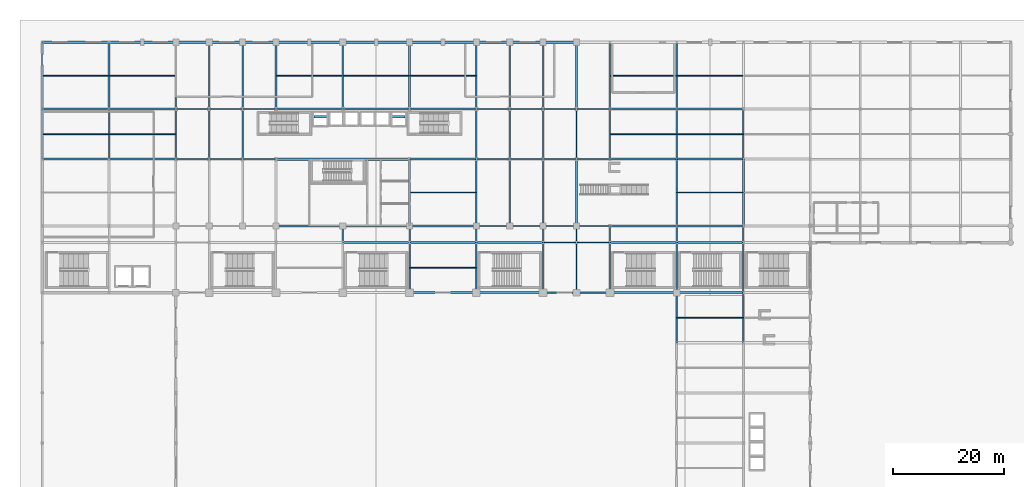
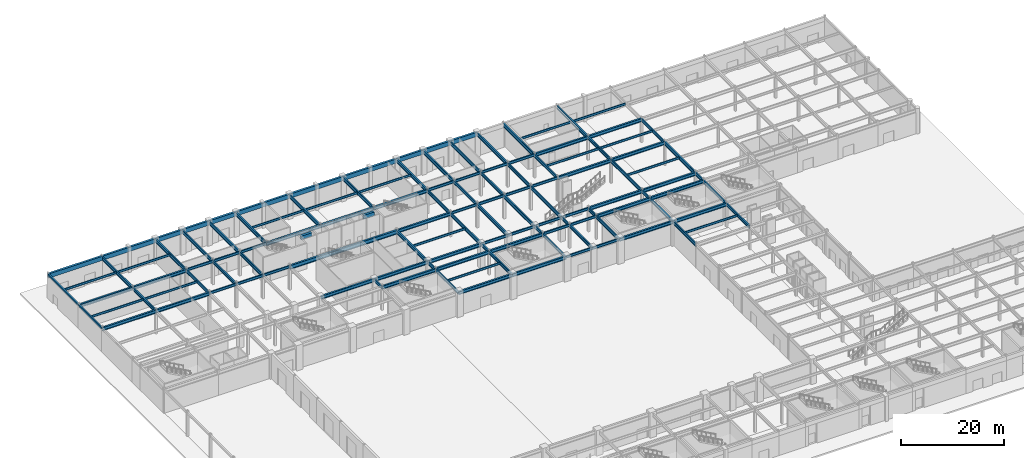
# One storey, part 15 of 44: 127 beams.
"""IFC4 building model written with IfcOpenShell, lengths in metres."""

from ifc_helpers import new_model, si_unit, direction, frame, origin, origin_2d, place, context, subcontext, project, spatial, rectangle, hollow_rectangle, i_section, extrude, material, material_profile, profile_set, type_object, element, save


model = new_model("IFC4")

# Units and contexts
model_context = context("Model", 3, precision=1e-05, world=origin(), true_north=direction((0.0, 1.0)))
body_context = subcontext(model_context, "Body", "Model", "MODEL_VIEW")
ifc_project = project(units=[si_unit("LENGTHUNIT", "METRE"), si_unit("AREAUNIT", "SQUARE_METRE"), si_unit("VOLUMEUNIT", "CUBIC_METRE"), si_unit("PLANEANGLEUNIT", "RADIAN"), si_unit("MASSUNIT", "GRAM", prefix="KILO")], contexts=[model_context])

# Site, building, storey
site_placement = place(None, origin())
site = spatial("IfcSite", under=ifc_project, at=site_placement, CompositionType="ELEMENT")
building_placement = place(site_placement, origin())
building = spatial("IfcBuilding", under=site, at=building_placement, Name="Kaldorvane Square Convention Centre", CompositionType="ELEMENT")
storey_placement = place(building_placement, origin())
storey = spatial("IfcBuildingStorey", under=building, at=storey_placement, Name="L00", CompositionType="ELEMENT", Elevation=0.0)

# Beams
ifc_material_1 = material(Name="Steel ASTM A992 Gr. 50", Category="steel")
ifc_material_profile_1 = material_profile(ifc_material_1, i_section(OverallWidth=0.2303009033203125, OverallDepth=0.61749267578125, WebThickness=0.0131072998046875, FlangeThickness=0.0222015380859375, FilletRadius=0.0126953125, at=origin_2d()), Name="W24X94")
ifc_profile_set_1 = profile_set([ifc_material_profile_1], Name="Steel ASTM A992 Gr. 50")
beam_type_1 = type_object("IfcBeamType", Name="BM-GR-W24X94", PredefinedType="BEAM", material=ifc_profile_set_1)
for number, where, z_axis, x_axis, name in (
    (1, (90.0, 72.0, 5.3672943115234375), (1.0, 0.0, 0.0), (0.0, 1.0, 0.0), "Primary Girder (L00)"),
    (2, (96.0, 72.0, 5.3672943115234375), (1.0, 0.0, 0.0), (0.0, 1.0, 0.0), "Primary Girder (L00)"),
    (3, (90.0, 81.0, 5.3672943115234375), (1.0, 0.0, 0.0), (0.0, 1.0, 0.0), "Primary Girder (L00)"),
    (4, (96.0, 81.0, 5.3672943115234375), (1.0, 0.0, 0.0), (0.0, 1.0, 0.0), "Primary Girder (L00)"),
    (5, (78.0, 84.0, 5.3672943115234375), (1.0, 0.0, 0.0), (0.0, 1.0, 0.0), "Primary Girder (L00)"),
    (6, (84.0, 84.0, 5.3672943115234375), (1.0, 0.0, 0.0), (0.0, 1.0, 0.0), "Primary Girder (L00)"),
    (7, (90.0, 84.0, 5.3672943115234375), (1.0, 0.0, 0.0), (0.0, 1.0, 0.0), "Primary Girder (L00)"),
    (8, (96.0, 84.0, 5.3672943115234375), (1.0, 0.0, 0.0), (0.0, 1.0, 0.0), "Primary Girder (L00)"),
    (9, (24.0, 96.0, 5.3672943115234375), (1.0, 0.0, 0.0), (0.0, 1.0, 0.0), "Primary Girder (L00)"),
    (10, (30.0, 96.0, 5.3672943115234375), (1.0, 0.0, 0.0), (0.0, 1.0, 0.0), "Primary Girder (L00)"),
    (11, (36.0, 96.0, 5.3672943115234375), (1.0, 0.0, 0.0), (0.0, 1.0, 0.0), "Primary Girder (L00)"),
    (12, (78.0, 96.0, 5.3672943115234375), (1.0, 0.0, 0.0), (0.0, 1.0, 0.0), "Primary Girder (L00)"),
    (13, (84.0, 96.0, 5.3672943115234375), (1.0, 0.0, 0.0), (0.0, 1.0, 0.0), "Primary Girder (L00)"),
    (14, (90.0, 96.0, 5.3672943115234375), (1.0, 0.0, 0.0), (0.0, 1.0, 0.0), "Primary Girder (L00)"),
    (15, (96.0, 96.0, 5.3672943115234375), (1.0, 0.0, 0.0), (0.0, 1.0, 0.0), "Primary Girder (L00)"),
    (16, (24.0, 105.0, 5.3672943115234375), (1.0, 0.0, 0.0), (0.0, 1.0, 0.0), "Primary Girder (L00)"),
    (17, (30.0, 105.0, 5.3672943115234375), (1.0, 0.0, 0.0), (0.0, 1.0, 0.0), "Primary Girder (L00)"),
    (18, (36.0, 105.0, 5.3672943115234375), (1.0, 0.0, 0.0), (0.0, 1.0, 0.0), "Primary Girder (L00)"),
    (19, (78.0, 105.0, 5.3672943115234375), (1.0, 0.0, 0.0), (0.0, 1.0, 0.0), "Primary Girder (L00)"),
    (20, (84.0, 105.0, 5.3672943115234375), (1.0, 0.0, 0.0), (0.0, 1.0, 0.0), "Primary Girder (L00)"),
    (21, (90.0, 105.0, 5.3672943115234375), (1.0, 0.0, 0.0), (0.0, 1.0, 0.0), "Primary Girder (L00)"),
    (22, (96.0, 105.0, 5.3672943115234375), (1.0, 0.0, 0.0), (0.0, 1.0, 0.0), "Primary Girder (L00)"),
):
    element("IfcBeam", number, at=place(storey_placement, frame(where, z_axis=z_axis, x_axis=x_axis)), inside=storey, type_object=beam_type_1, Name=name, PredefinedType="BEAM", context=body_context, shape_type="SweptSolid", body=[
        extrude(i_section(OverallWidth=0.2303009033203125, OverallDepth=0.61749267578125, WebThickness=0.0131072998046875, FlangeThickness=0.0222015380859375, FilletRadius=0.0126953125, at=origin_2d()), origin(), (0.0, 0.0, 1.0), 6.0),
    ])
ifc_material_profile_2 = material_profile(ifc_material_1, i_section(OverallWidth=0.2666015625, OverallDepth=0.762298583984375, WebThickness=0.014404296875, FlangeThickness=0.0216064453125, FilletRadius=0.0164947509765625, at=origin_2d()), Name="W30X116")
ifc_profile_set_2 = profile_set([ifc_material_profile_2], Name="Steel ASTM A992 Gr. 50")
beam_type_2 = type_object("IfcBeamType", Name="BM-GR-W30X116", PredefinedType="BEAM", material=ifc_profile_set_2)
for number, where, z_axis, x_axis, name in (
    (23, (12.0, 96.0, 5.2949066162109375), (0.0, 1.0, 0.0), (-1.0, 0.0, 0.0), "Transverse Girder (L00)"),
    (24, (24.0, 96.0, 5.2949066162109375), (0.0, 1.0, 0.0), (-1.0, 0.0, 0.0), "Transverse Girder (L00)"),
    (25, (30.0, 96.0, 5.2949066162109375), (0.0, 1.0, 0.0), (-1.0, 0.0, 0.0), "Transverse Girder (L00)"),
    (26, (36.0, 96.0, 5.2949066162109375), (0.0, 1.0, 0.0), (-1.0, 0.0, 0.0), "Transverse Girder (L00)"),
):
    element("IfcBeam", number, at=place(storey_placement, frame(where, z_axis=z_axis, x_axis=x_axis)), inside=storey, type_object=beam_type_2, Name=name, PredefinedType="BEAM", context=body_context, shape_type="SweptSolid", body=[
        extrude(i_section(OverallWidth=0.2666015625, OverallDepth=0.762298583984375, WebThickness=0.014404296875, FlangeThickness=0.0216064453125, FilletRadius=0.0164947509765625, at=origin_2d()), origin(), (0.0, 0.0, 1.0), 9.0),
    ])
beam_1_placement = place(storey_placement, frame((54.0, 81.0, 5.2949066162109375), z_axis=(0.0, 1.0, 0.0), x_axis=(-1.0, 0.0, 0.0)))
element("IfcBeam", 27, at=beam_1_placement, inside=storey, type_object=beam_type_2, Name="Transverse Girder (L00)", PredefinedType="BEAM", context=body_context, shape_type="SweptSolid", body=[
    extrude(i_section(OverallWidth=0.2666015625, OverallDepth=0.762298583984375, WebThickness=0.014404296875, FlangeThickness=0.0216064453125, FilletRadius=0.0164947509765625, at=origin_2d()), origin(), (0.0, 0.0, 1.0), 3.0),
])
beam_2_placement = place(storey_placement, frame((66.0, 72.0, 5.2949066162109375), z_axis=(0.0, 1.0, 0.0), x_axis=(-1.0, 0.0, 0.0)))
element("IfcBeam", 28, at=beam_2_placement, inside=storey, type_object=beam_type_2, Name="Transverse Girder (L00)", PredefinedType="BEAM", context=body_context, shape_type="SweptSolid", body=[
    extrude(i_section(OverallWidth=0.2666015625, OverallDepth=0.762298583984375, WebThickness=0.014404296875, FlangeThickness=0.0216064453125, FilletRadius=0.0164947509765625, at=origin_2d()), origin(), (0.0, 0.0, 1.0), 9.0),
])
beam_3_placement = place(storey_placement, frame((66.0, 81.0, 5.2949066162109375), z_axis=(0.0, 1.0, 0.0), x_axis=(-1.0, 0.0, 0.0)))
element("IfcBeam", 29, at=beam_3_placement, inside=storey, type_object=beam_type_2, Name="Transverse Girder (L00)", PredefinedType="BEAM", context=body_context, shape_type="SweptSolid", body=[
    extrude(i_section(OverallWidth=0.2666015625, OverallDepth=0.762298583984375, WebThickness=0.014404296875, FlangeThickness=0.0216064453125, FilletRadius=0.0164947509765625, at=origin_2d()), origin(), (0.0, 0.0, 1.0), 3.0),
])
beam_4_placement = place(storey_placement, frame((78.0, 72.0, 5.2949066162109375), z_axis=(0.0, 1.0, 0.0), x_axis=(-1.0, 0.0, 0.0)))
element("IfcBeam", 30, at=beam_4_placement, inside=storey, type_object=beam_type_2, Name="Transverse Girder (L00)", PredefinedType="BEAM", context=body_context, shape_type="SweptSolid", body=[
    extrude(i_section(OverallWidth=0.2666015625, OverallDepth=0.762298583984375, WebThickness=0.014404296875, FlangeThickness=0.0216064453125, FilletRadius=0.0164947509765625, at=origin_2d()), origin(), (0.0, 0.0, 1.0), 9.0),
])
beam_5_placement = place(storey_placement, frame((78.0, 81.0, 5.2949066162109375), z_axis=(0.0, 1.0, 0.0), x_axis=(-1.0, 0.0, 0.0)))
element("IfcBeam", 31, at=beam_5_placement, inside=storey, type_object=beam_type_2, Name="Transverse Girder (L00)", PredefinedType="BEAM", context=body_context, shape_type="SweptSolid", body=[
    extrude(i_section(OverallWidth=0.2666015625, OverallDepth=0.762298583984375, WebThickness=0.014404296875, FlangeThickness=0.0216064453125, FilletRadius=0.0164947509765625, at=origin_2d()), origin(), (0.0, 0.0, 1.0), 3.0),
])
for number, where, z_axis, x_axis, name in (
    (32, (78.0, 96.0, 5.2949066162109375), (0.0, 1.0, 0.0), (-1.0, 0.0, 0.0), "Transverse Girder (L00)"),
    (33, (84.0, 96.0, 5.2949066162109375), (0.0, 1.0, 0.0), (-1.0, 0.0, 0.0), "Transverse Girder (L00)"),
    (34, (90.0, 72.0, 5.2949066162109375), (0.0, 1.0, 0.0), (-1.0, 0.0, 0.0), "Transverse Girder (L00)"),
):
    element("IfcBeam", number, at=place(storey_placement, frame(where, z_axis=z_axis, x_axis=x_axis)), inside=storey, type_object=beam_type_2, Name=name, PredefinedType="BEAM", context=body_context, shape_type="SweptSolid", body=[
        extrude(i_section(OverallWidth=0.2666015625, OverallDepth=0.762298583984375, WebThickness=0.014404296875, FlangeThickness=0.0216064453125, FilletRadius=0.0164947509765625, at=origin_2d()), origin(), (0.0, 0.0, 1.0), 9.0),
    ])
beam_6_placement = place(storey_placement, frame((90.0, 81.0, 5.2949066162109375), z_axis=(0.0, 1.0, 0.0), x_axis=(-1.0, 0.0, 0.0)))
element("IfcBeam", 35, at=beam_6_placement, inside=storey, type_object=beam_type_2, Name="Transverse Girder (L00)", PredefinedType="BEAM", context=body_context, shape_type="SweptSolid", body=[
    extrude(i_section(OverallWidth=0.2666015625, OverallDepth=0.762298583984375, WebThickness=0.014404296875, FlangeThickness=0.0216064453125, FilletRadius=0.0164947509765625, at=origin_2d()), origin(), (0.0, 0.0, 1.0), 3.0),
])
for number, where, z_axis, x_axis, name in (
    (36, (90.0, 96.0, 5.2949066162109375), (0.0, 1.0, 0.0), (-1.0, 0.0, 0.0), "Transverse Girder (L00)"),
    (37, (96.0, 72.0, 5.2949066162109375), (0.0, 1.0, 0.0), (-1.0, 0.0, 0.0), "Transverse Girder (L00)"),
):
    element("IfcBeam", number, at=place(storey_placement, frame(where, z_axis=z_axis, x_axis=x_axis)), inside=storey, type_object=beam_type_2, Name=name, PredefinedType="BEAM", context=body_context, shape_type="SweptSolid", body=[
        extrude(i_section(OverallWidth=0.2666015625, OverallDepth=0.762298583984375, WebThickness=0.014404296875, FlangeThickness=0.0216064453125, FilletRadius=0.0164947509765625, at=origin_2d()), origin(), (0.0, 0.0, 1.0), 9.0),
    ])
beam_7_placement = place(storey_placement, frame((96.0, 81.0, 5.2949066162109375), z_axis=(0.0, 1.0, 0.0), x_axis=(-1.0, 0.0, 0.0)))
element("IfcBeam", 38, at=beam_7_placement, inside=storey, type_object=beam_type_2, Name="Transverse Girder (L00)", PredefinedType="BEAM", context=body_context, shape_type="SweptSolid", body=[
    extrude(i_section(OverallWidth=0.2666015625, OverallDepth=0.762298583984375, WebThickness=0.014404296875, FlangeThickness=0.0216064453125, FilletRadius=0.0164947509765625, at=origin_2d()), origin(), (0.0, 0.0, 1.0), 3.0),
])
for number, where, z_axis, x_axis, name in (
    (39, (96.0, 96.0, 5.2949066162109375), (0.0, 1.0, 0.0), (-1.0, 0.0, 0.0), "Transverse Girder (L00)"),
    (40, (102.0, 72.0, 5.2949066162109375), (0.0, 1.0, 0.0), (-1.0, 0.0, 0.0), "Transverse Girder (L00)"),
):
    element("IfcBeam", number, at=place(storey_placement, frame(where, z_axis=z_axis, x_axis=x_axis)), inside=storey, type_object=beam_type_2, Name=name, PredefinedType="BEAM", context=body_context, shape_type="SweptSolid", body=[
        extrude(i_section(OverallWidth=0.2666015625, OverallDepth=0.762298583984375, WebThickness=0.014404296875, FlangeThickness=0.0216064453125, FilletRadius=0.0164947509765625, at=origin_2d()), origin(), (0.0, 0.0, 1.0), 9.0),
    ])
beam_8_placement = place(storey_placement, frame((102.0, 81.0, 5.2949066162109375), z_axis=(0.0, 1.0, 0.0), x_axis=(-1.0, 0.0, 0.0)))
element("IfcBeam", 41, at=beam_8_placement, inside=storey, type_object=beam_type_2, Name="Transverse Girder (L00)", PredefinedType="BEAM", context=body_context, shape_type="SweptSolid", body=[
    extrude(i_section(OverallWidth=0.2666015625, OverallDepth=0.762298583984375, WebThickness=0.014404296875, FlangeThickness=0.0216064453125, FilletRadius=0.0164947509765625, at=origin_2d()), origin(), (0.0, 0.0, 1.0), 3.0),
])
for number, where, z_axis, x_axis, name in (
    (42, (102.0, 96.0, 5.2949066162109375), (0.0, 1.0, 0.0), (-1.0, 0.0, 0.0), "Transverse Girder (L00)"),
    (43, (114.0, 63.0, 5.2949066162109375), (0.0, 1.0, 0.0), (-1.0, 0.0, 0.0), "Transverse Girder (L00)"),
    (44, (114.0, 72.0, 5.2949066162109375), (0.0, 1.0, 0.0), (-1.0, 0.0, 0.0), "Transverse Girder (L00)"),
):
    element("IfcBeam", number, at=place(storey_placement, frame(where, z_axis=z_axis, x_axis=x_axis)), inside=storey, type_object=beam_type_2, Name=name, PredefinedType="BEAM", context=body_context, shape_type="SweptSolid", body=[
        extrude(i_section(OverallWidth=0.2666015625, OverallDepth=0.762298583984375, WebThickness=0.014404296875, FlangeThickness=0.0216064453125, FilletRadius=0.0164947509765625, at=origin_2d()), origin(), (0.0, 0.0, 1.0), 9.0),
    ])
beam_9_placement = place(storey_placement, frame((114.0, 81.0, 5.2949066162109375), z_axis=(0.0, 1.0, 0.0), x_axis=(-1.0, 0.0, 0.0)))
element("IfcBeam", 45, at=beam_9_placement, inside=storey, type_object=beam_type_2, Name="Transverse Girder (L00)", PredefinedType="BEAM", context=body_context, shape_type="SweptSolid", body=[
    extrude(i_section(OverallWidth=0.2666015625, OverallDepth=0.762298583984375, WebThickness=0.014404296875, FlangeThickness=0.0216064453125, FilletRadius=0.0164947509765625, at=origin_2d()), origin(), (0.0, 0.0, 1.0), 3.0),
])
for number, where, z_axis, x_axis, name in (
    (46, (114.0, 96.0, 5.2949066162109375), (0.0, 1.0, 0.0), (-1.0, 0.0, 0.0), "Transverse Girder (L00)"),
    (47, (126.0, 63.0, 5.2949066162109375), (0.0, 1.0, 0.0), (-1.0, 0.0, 0.0), "Transverse Girder (L00)"),
    (48, (126.0, 72.0, 5.2949066162109375), (0.0, 1.0, 0.0), (-1.0, 0.0, 0.0), "Transverse Girder (L00)"),
):
    element("IfcBeam", number, at=place(storey_placement, frame(where, z_axis=z_axis, x_axis=x_axis)), inside=storey, type_object=beam_type_2, Name=name, PredefinedType="BEAM", context=body_context, shape_type="SweptSolid", body=[
        extrude(i_section(OverallWidth=0.2666015625, OverallDepth=0.762298583984375, WebThickness=0.014404296875, FlangeThickness=0.0216064453125, FilletRadius=0.0164947509765625, at=origin_2d()), origin(), (0.0, 0.0, 1.0), 9.0),
    ])
beam_10_placement = place(storey_placement, frame((126.0, 81.0, 5.2949066162109375), z_axis=(0.0, 1.0, 0.0), x_axis=(-1.0, 0.0, 0.0)))
element("IfcBeam", 49, at=beam_10_placement, inside=storey, type_object=beam_type_2, Name="Transverse Girder (L00)", PredefinedType="BEAM", context=body_context, shape_type="SweptSolid", body=[
    extrude(i_section(OverallWidth=0.2666015625, OverallDepth=0.762298583984375, WebThickness=0.014404296875, FlangeThickness=0.0216064453125, FilletRadius=0.0164947509765625, at=origin_2d()), origin(), (0.0, 0.0, 1.0), 3.0),
])
beam_11_placement = place(storey_placement, frame((126.0, 96.0, 5.2949066162109375), z_axis=(0.0, 1.0, 0.0), x_axis=(-1.0, 0.0, 0.0)))
element("IfcBeam", 50, at=beam_11_placement, inside=storey, type_object=beam_type_2, Name="Transverse Girder (L00)", PredefinedType="BEAM", context=body_context, shape_type="SweptSolid", body=[
    extrude(i_section(OverallWidth=0.2666015625, OverallDepth=0.762298583984375, WebThickness=0.014404296875, FlangeThickness=0.0216064453125, FilletRadius=0.0164947509765625, at=origin_2d()), origin(), (0.0, 0.0, 1.0), 9.0),
])
ifc_material_profile_3 = material_profile(ifc_material_1, i_section(OverallWidth=0.380706787109375, OverallDepth=0.773193359375, WebThickness=0.0166015625, FlangeThickness=0.027099609375, FilletRadius=0.0164947509765625, at=origin_2d()), Name="W30X173")
ifc_profile_set_3 = profile_set([ifc_material_profile_3], Name="Steel ASTM A992 Gr. 50")
beam_type_3 = type_object("IfcBeamType", Name="BM-GR-W30X173", PredefinedType="BEAM", material=ifc_profile_set_3)
for number, where, z_axis, x_axis, name in (
    (51, (66.0, 72.0, 5.289398193359375), (1.0, 0.0, 0.0), (0.0, 1.0, 0.0), "Primary Girder (L00)"),
    (52, (78.0, 72.0, 5.289398193359375), (1.0, 0.0, 0.0), (0.0, 1.0, 0.0), "Primary Girder (L00)"),
    (53, (102.0, 72.0, 5.289398193359375), (1.0, 0.0, 0.0), (0.0, 1.0, 0.0), "Primary Girder (L00)"),
    (54, (114.0, 72.0, 5.289398193359375), (1.0, 0.0, 0.0), (0.0, 1.0, 0.0), "Primary Girder (L00)"),
    (55, (54.0, 81.0, 5.289398193359375), (1.0, 0.0, 0.0), (0.0, 1.0, 0.0), "Primary Girder (L00)"),
    (56, (66.0, 81.0, 5.289398193359375), (1.0, 0.0, 0.0), (0.0, 1.0, 0.0), "Primary Girder (L00)"),
    (57, (78.0, 81.0, 5.289398193359375), (1.0, 0.0, 0.0), (0.0, 1.0, 0.0), "Primary Girder (L00)"),
    (58, (102.0, 81.0, 5.289398193359375), (1.0, 0.0, 0.0), (0.0, 1.0, 0.0), "Primary Girder (L00)"),
    (59, (114.0, 81.0, 5.289398193359375), (1.0, 0.0, 0.0), (0.0, 1.0, 0.0), "Primary Girder (L00)"),
    (60, (42.0, 84.0, 5.289398193359375), (1.0, 0.0, 0.0), (0.0, 1.0, 0.0), "Primary Girder (L00)"),
    (61, (54.0, 84.0, 5.289398193359375), (1.0, 0.0, 0.0), (0.0, 1.0, 0.0), "Primary Girder (L00)"),
    (62, (66.0, 84.0, 5.289398193359375), (1.0, 0.0, 0.0), (0.0, 1.0, 0.0), "Primary Girder (L00)"),
    (63, (102.0, 84.0, 5.289398193359375), (1.0, 0.0, 0.0), (0.0, 1.0, 0.0), "Primary Girder (L00)"),
    (64, (114.0, 84.0, 5.289398193359375), (1.0, 0.0, 0.0), (0.0, 1.0, 0.0), "Primary Girder (L00)"),
    (65, (0.0, 96.0, 5.289398193359375), (1.0, 0.0, 0.0), (0.0, 1.0, 0.0), "Primary Girder (L00)"),
    (66, (12.0, 96.0, 5.289398193359375), (1.0, 0.0, 0.0), (0.0, 1.0, 0.0), "Primary Girder (L00)"),
    (67, (66.0, 96.0, 5.289398193359375), (1.0, 0.0, 0.0), (0.0, 1.0, 0.0), "Primary Girder (L00)"),
    (68, (102.0, 96.0, 5.289398193359375), (1.0, 0.0, 0.0), (0.0, 1.0, 0.0), "Primary Girder (L00)"),
    (69, (114.0, 96.0, 5.289398193359375), (1.0, 0.0, 0.0), (0.0, 1.0, 0.0), "Primary Girder (L00)"),
    (70, (0.0, 105.0, 5.289398193359375), (1.0, 0.0, 0.0), (0.0, 1.0, 0.0), "Primary Girder (L00)"),
    (71, (12.0, 105.0, 5.289398193359375), (1.0, 0.0, 0.0), (0.0, 1.0, 0.0), "Primary Girder (L00)"),
    (72, (42.0, 105.0, 5.289398193359375), (1.0, 0.0, 0.0), (0.0, 1.0, 0.0), "Primary Girder (L00)"),
    (73, (54.0, 105.0, 5.289398193359375), (1.0, 0.0, 0.0), (0.0, 1.0, 0.0), "Primary Girder (L00)"),
    (74, (66.0, 105.0, 5.289398193359375), (1.0, 0.0, 0.0), (0.0, 1.0, 0.0), "Primary Girder (L00)"),
    (75, (102.0, 105.0, 5.289398193359375), (1.0, 0.0, 0.0), (0.0, 1.0, 0.0), "Primary Girder (L00)"),
    (76, (114.0, 105.0, 5.289398193359375), (1.0, 0.0, 0.0), (0.0, 1.0, 0.0), "Primary Girder (L00)"),
):
    element("IfcBeam", number, at=place(storey_placement, frame(where, z_axis=z_axis, x_axis=x_axis)), inside=storey, type_object=beam_type_3, Name=name, PredefinedType="BEAM", context=body_context, shape_type="SweptSolid", body=[
        extrude(i_section(OverallWidth=0.380706787109375, OverallDepth=0.773193359375, WebThickness=0.0166015625, FlangeThickness=0.027099609375, FilletRadius=0.0164947509765625, at=origin_2d()), origin(), (0.0, 0.0, 1.0), 12.0),
    ])
ifc_material_profile_4 = material_profile(ifc_material_1, i_section(OverallWidth=0.292999267578125, OverallDepth=0.845794677734375, WebThickness=0.0153961181640625, FlangeThickness=0.0243988037109375, FilletRadius=0.0178070068359375, at=origin_2d()), Name="W33X141")
ifc_profile_set_4 = profile_set([ifc_material_profile_4], Name="Steel ASTM A992 Gr. 50")
beam_type_4 = type_object("IfcBeamType", Name="BM-GR-W33X141", PredefinedType="BEAM", material=ifc_profile_set_4)
for number, where, z_axis, x_axis, name in (
    (77, (12.0, 105.0, 5.2530975341796875), (0.0, 1.0, 0.0), (-1.0, 0.0, 0.0), "Transverse Girder (L00)"),
    (78, (24.0, 105.0, 5.2530975341796875), (0.0, 1.0, 0.0), (-1.0, 0.0, 0.0), "Transverse Girder (L00)"),
    (79, (30.0, 105.0, 5.2530975341796875), (0.0, 1.0, 0.0), (-1.0, 0.0, 0.0), "Transverse Girder (L00)"),
    (80, (36.0, 105.0, 5.2530975341796875), (0.0, 1.0, 0.0), (-1.0, 0.0, 0.0), "Transverse Girder (L00)"),
    (81, (42.0, 105.0, 5.2530975341796875), (0.0, 1.0, 0.0), (-1.0, 0.0, 0.0), "Transverse Girder (L00)"),
    (82, (54.0, 105.0, 5.2530975341796875), (0.0, 1.0, 0.0), (-1.0, 0.0, 0.0), "Transverse Girder (L00)"),
    (83, (66.0, 84.0, 5.2530975341796875), (0.0, 1.0, 0.0), (-1.0, 0.0, 0.0), "Transverse Girder (L00)"),
    (84, (66.0, 105.0, 5.2530975341796875), (0.0, 1.0, 0.0), (-1.0, 0.0, 0.0), "Transverse Girder (L00)"),
    (85, (78.0, 84.0, 5.2530975341796875), (0.0, 1.0, 0.0), (-1.0, 0.0, 0.0), "Transverse Girder (L00)"),
    (86, (78.0, 105.0, 5.2530975341796875), (0.0, 1.0, 0.0), (-1.0, 0.0, 0.0), "Transverse Girder (L00)"),
    (87, (84.0, 84.0, 5.2530975341796875), (0.0, 1.0, 0.0), (-1.0, 0.0, 0.0), "Transverse Girder (L00)"),
    (88, (84.0, 105.0, 5.2530975341796875), (0.0, 1.0, 0.0), (-1.0, 0.0, 0.0), "Transverse Girder (L00)"),
    (89, (90.0, 84.0, 5.2530975341796875), (0.0, 1.0, 0.0), (-1.0, 0.0, 0.0), "Transverse Girder (L00)"),
    (90, (90.0, 105.0, 5.2530975341796875), (0.0, 1.0, 0.0), (-1.0, 0.0, 0.0), "Transverse Girder (L00)"),
    (91, (96.0, 84.0, 5.2530975341796875), (0.0, 1.0, 0.0), (-1.0, 0.0, 0.0), "Transverse Girder (L00)"),
    (92, (96.0, 105.0, 5.2530975341796875), (0.0, 1.0, 0.0), (-1.0, 0.0, 0.0), "Transverse Girder (L00)"),
    (93, (102.0, 105.0, 5.2530975341796875), (0.0, 1.0, 0.0), (-1.0, 0.0, 0.0), "Transverse Girder (L00)"),
    (94, (114.0, 84.0, 5.2530975341796875), (0.0, 1.0, 0.0), (-1.0, 0.0, 0.0), "Transverse Girder (L00)"),
    (95, (114.0, 105.0, 5.2530975341796875), (0.0, 1.0, 0.0), (-1.0, 0.0, 0.0), "Transverse Girder (L00)"),
    (96, (126.0, 84.0, 5.2530975341796875), (0.0, 1.0, 0.0), (-1.0, 0.0, 0.0), "Transverse Girder (L00)"),
):
    element("IfcBeam", number, at=place(storey_placement, frame(where, z_axis=z_axis, x_axis=x_axis)), inside=storey, type_object=beam_type_4, Name=name, PredefinedType="BEAM", context=body_context, shape_type="SweptSolid", body=[
        extrude(i_section(OverallWidth=0.292999267578125, OverallDepth=0.845794677734375, WebThickness=0.0153961181640625, FlangeThickness=0.0243988037109375, FilletRadius=0.0178070068359375, at=origin_2d()), origin(), (0.0, 0.0, 1.0), 12.0),
    ])
ifc_material_profile_5 = material_profile(ifc_material_1, i_section(OverallWidth=0.418304443359375, OverallDepth=0.926605224609375, WebThickness=0.0193023681640625, FlangeThickness=0.0319976806640625, FilletRadius=0.0240936279296875, at=origin_2d()), Name="W36X231")
ifc_profile_set_5 = profile_set([ifc_material_profile_5], Name="Steel ASTM A992 Gr. 50")
beam_type_5 = type_object("IfcBeamType", Name="BM-GR-W36X231", PredefinedType="BEAM", material=ifc_profile_set_5)
beam_12_placement = place(storey_placement, frame((42.0, 96.0, 5.21270751953125), z_axis=(1.0, 0.0, 0.0), x_axis=(0.0, 1.0, 0.0)))
element("IfcBeam", 97, at=beam_12_placement, inside=storey, type_object=beam_type_5, Name="Primary Girder (L00)", PredefinedType="BEAM", context=body_context, shape_type="SweptSolid", body=[
    extrude(i_section(OverallWidth=0.418304443359375, OverallDepth=0.926605224609375, WebThickness=0.0193023681640625, FlangeThickness=0.0319976806640625, FilletRadius=0.0240936279296875, at=origin_2d()), origin(), (0.0, 0.0, 1.0), 24.0),
])
ifc_material_profile_6 = material_profile(ifc_material_1, i_section(OverallWidth=0.1658935546875, OverallDepth=0.5290985107421875, WebThickness=0.00970458984375, FlangeThickness=0.0135955810546875, FilletRadius=0.0126953125, at=origin_2d()), Name="W21X50")
ifc_profile_set_6 = profile_set([ifc_material_profile_6], Name="Steel ASTM A992 Gr. 50")
beam_type_6 = type_object("IfcBeamType", Name="BM-JS-W21X50", PredefinedType="JOIST", material=ifc_profile_set_6)
for number, where, z_axis, x_axis, name in (
    (98, (114.13330078125, 67.5, 5.4114990234375), (1.0, 0.0, 0.0), (0.0, 1.0, 0.0), "Secondary Floor Joist (L00)"),
    (99, (66.13330078125, 76.5, 5.4114990234375), (1.0, 0.0, 0.0), (0.0, 1.0, 0.0), "Secondary Floor Joist (L00)"),
):
    element("IfcBeam", number, at=place(storey_placement, frame(where, z_axis=z_axis, x_axis=x_axis)), inside=storey, type_object=beam_type_6, Name=name, PredefinedType="JOIST", context=body_context, shape_type="SweptSolid", body=[
        extrude(i_section(OverallWidth=0.1658935546875, OverallDepth=0.5290985107421875, WebThickness=0.00970458984375, FlangeThickness=0.0135955810546875, FilletRadius=0.0126953125, at=origin_2d()), origin(), (0.0, 0.0, 1.0), 11.7333984375),
    ])
for number, where, z_axis, x_axis, name in (
    (100, (66.14649963378906, 90.0, 5.4114990234375), (1.0, 0.0, 0.0), (0.0, 1.0, 0.0), "Secondary Floor Joist (L00)"),
    (101, (114.14649963378906, 90.0, 5.4114990234375), (1.0, 0.0, 0.0), (0.0, 1.0, 0.0), "Secondary Floor Joist (L00)"),
):
    element("IfcBeam", number, at=place(storey_placement, frame(where, z_axis=z_axis, x_axis=x_axis)), inside=storey, type_object=beam_type_6, Name=name, PredefinedType="JOIST", context=body_context, shape_type="SweptSolid", body=[
        extrude(i_section(OverallWidth=0.1658935546875, OverallDepth=0.5290985107421875, WebThickness=0.00970458984375, FlangeThickness=0.0135955810546875, FilletRadius=0.0126953125, at=origin_2d()), origin(), (0.0, 0.0, 1.0), 11.707000732421875),
    ])
beam_13_placement = place(storey_placement, frame((0.15240478515625, 100.5, 5.4114990234375), z_axis=(1.0, 0.0, 0.0), x_axis=(0.0, 1.0, 0.0)))
element("IfcBeam", 102, at=beam_13_placement, inside=storey, type_object=beam_type_6, Name="Secondary Floor Joist (L00)", PredefinedType="JOIST", context=body_context, shape_type="SweptSolid", body=[
    extrude(i_section(OverallWidth=0.1658935546875, OverallDepth=0.5290985107421875, WebThickness=0.00970458984375, FlangeThickness=0.0135955810546875, FilletRadius=0.0126953125, at=origin_2d()), origin(), (0.0, 0.0, 1.0), 11.71429443359375),
])
for number, where, z_axis, x_axis, name in (
    (103, (12.13330078125, 100.5, 5.4114990234375), (1.0, 0.0, 0.0), (0.0, 1.0, 0.0), "Secondary Floor Joist (L00)"),
    (104, (102.13330078125, 100.5, 5.4114990234375), (1.0, 0.0, 0.0), (0.0, 1.0, 0.0), "Secondary Floor Joist (L00)"),
    (105, (114.13330078125, 100.5, 5.4114990234375), (1.0, 0.0, 0.0), (0.0, 1.0, 0.0), "Secondary Floor Joist (L00)"),
):
    element("IfcBeam", number, at=place(storey_placement, frame(where, z_axis=z_axis, x_axis=x_axis)), inside=storey, type_object=beam_type_6, Name=name, PredefinedType="JOIST", context=body_context, shape_type="SweptSolid", body=[
        extrude(i_section(OverallWidth=0.1658935546875, OverallDepth=0.5290985107421875, WebThickness=0.00970458984375, FlangeThickness=0.0135955810546875, FilletRadius=0.0126953125, at=origin_2d()), origin(), (0.0, 0.0, 1.0), 11.7333984375),
    ])
beam_14_placement = place(storey_placement, frame((0.15240478515625, 111.0, 5.4114990234375), z_axis=(1.0, 0.0, 0.0), x_axis=(0.0, 1.0, 0.0)))
element("IfcBeam", 106, at=beam_14_placement, inside=storey, type_object=beam_type_6, Name="Secondary Floor Joist (L00)", PredefinedType="JOIST", context=body_context, shape_type="SweptSolid", body=[
    extrude(i_section(OverallWidth=0.1658935546875, OverallDepth=0.5290985107421875, WebThickness=0.00970458984375, FlangeThickness=0.0135955810546875, FilletRadius=0.0126953125, at=origin_2d()), origin(), (0.0, 0.0, 1.0), 11.701095581054688),
])
for number, where, z_axis, x_axis, name in (
    (107, (12.146499633789062, 111.0, 5.4114990234375), (1.0, 0.0, 0.0), (0.0, 1.0, 0.0), "Secondary Floor Joist (L00)"),
    (108, (42.14649963378906, 111.0, 5.4114990234375), (1.0, 0.0, 0.0), (0.0, 1.0, 0.0), "Secondary Floor Joist (L00)"),
    (109, (54.14649963378906, 111.0, 5.4114990234375), (1.0, 0.0, 0.0), (0.0, 1.0, 0.0), "Secondary Floor Joist (L00)"),
    (110, (66.14649963378906, 111.0, 5.4114990234375), (1.0, 0.0, 0.0), (0.0, 1.0, 0.0), "Secondary Floor Joist (L00)"),
    (111, (102.14649963378906, 111.0, 5.4114990234375), (1.0, 0.0, 0.0), (0.0, 1.0, 0.0), "Secondary Floor Joist (L00)"),
    (112, (114.14649963378906, 111.0, 5.4114990234375), (1.0, 0.0, 0.0), (0.0, 1.0, 0.0), "Secondary Floor Joist (L00)"),
):
    element("IfcBeam", number, at=place(storey_placement, frame(where, z_axis=z_axis, x_axis=x_axis)), inside=storey, type_object=beam_type_6, Name=name, PredefinedType="JOIST", context=body_context, shape_type="SweptSolid", body=[
        extrude(i_section(OverallWidth=0.1658935546875, OverallDepth=0.5290985107421875, WebThickness=0.00970458984375, FlangeThickness=0.0135955810546875, FilletRadius=0.0126953125, at=origin_2d()), origin(), (0.0, 0.0, 1.0), 11.707000732421875),
    ])
ifc_material_2 = material(Name="Concrete f'c = 42 MPa (Normalweight)", Category="concrete")
ifc_material_profile_7 = material_profile(ifc_material_2, rectangle(XDim=0.5, YDim=0.899993896484375, at=origin_2d()), Name="RCLN900X500")
ifc_profile_set_7 = profile_set([ifc_material_profile_7], Name="Concrete f'c = 42 MPa (Normalweight)")
beam_type_7 = type_object("IfcBeamType", Name="BM-LN-RC900", PredefinedType="LINTEL", material=ifc_profile_set_7)
for number, where, z_axis, x_axis, name in (
    (113, (48.80000305175781, 103.60000610351562, 5.227996826171875), (1.0, 0.0, 0.0), (0.0, 1.0, 0.0), "Core Coupling Lintel W (L00)"),
    (114, (62.80000305175781, 103.60000610351562, 5.227996826171875), (1.0, 0.0, 0.0), (0.0, 1.0, 0.0), "Core Coupling Lintel E (L00)"),
):
    element("IfcBeam", number, at=place(storey_placement, frame(where, z_axis=z_axis, x_axis=x_axis)), inside=storey, type_object=beam_type_7, Name=name, PredefinedType="LINTEL", context=body_context, shape_type="SweptSolid", body=[
        extrude(rectangle(XDim=0.5, YDim=0.899993896484375, at=origin_2d()), origin(), (0.0, 0.0, 1.0), 2.399993896484375),
    ])
ifc_material_3 = material(Name="Steel ASTM A500 Gr. C", Category="steel")
ifc_material_profile_8 = material_profile(ifc_material_3, hollow_rectangle(XDim=0.3047943115234375, YDim=0.406402587890625, WallThickness=0.0117950439453125, at=origin_2d()), Name="HSS16X12X1/2")
ifc_profile_set_8 = profile_set([ifc_material_profile_8], Name="Steel ASTM A500 Gr. C")
beam_type_8 = type_object("IfcBeamType", Name="BM-SP-HSS16", PredefinedType="SPANDREL", material=ifc_profile_set_8)
beam_15_placement = place(storey_placement, frame((0.0, 96.0, 5.4727935791015625), z_axis=(0.0, 1.0, 0.0), x_axis=(-1.0, 0.0, 0.0)))
element("IfcBeam", 115, at=beam_15_placement, inside=storey, type_object=beam_type_8, Name="End Spandrel (L00)", PredefinedType="SPANDREL", context=body_context, shape_type="SweptSolid", body=[
    extrude(hollow_rectangle(XDim=0.3047943115234375, YDim=0.406402587890625, WallThickness=0.0117950439453125, at=origin_2d()), origin(), (0.0, 0.0, 1.0), 9.0),
])
beam_16_placement = place(storey_placement, frame((0.0, 105.0, 5.4727935791015625), z_axis=(0.0, 1.0, 0.0), x_axis=(-1.0, 0.0, 0.0)))
element("IfcBeam", 116, at=beam_16_placement, inside=storey, type_object=beam_type_8, Name="End Spandrel (L00)", PredefinedType="SPANDREL", context=body_context, shape_type="SweptSolid", body=[
    extrude(hollow_rectangle(XDim=0.3047943115234375, YDim=0.406402587890625, WallThickness=0.0117950439453125, at=origin_2d()), origin(), (0.0, 0.0, 1.0), 12.0),
])
ifc_material_profile_9 = material_profile(ifc_material_2, rectangle(XDim=0.4499969482421875, YDim=1.0, at=origin_2d()), Name="RCSP1000X450")
ifc_profile_set_9 = profile_set([ifc_material_profile_9], Name="Concrete f'c = 42 MPa (Normalweight)")
beam_type_9 = type_object("IfcBeamType", Name="BM-SP-RC1000", PredefinedType="SPANDREL", material=ifc_profile_set_9)
for number, where, z_axis, x_axis, name in (
    (117, (0.0, 117.0, 5.175994873046875), (1.0, 0.0, 0.0), (0.0, 1.0, 0.0), "Perimeter Spandrel (L00)"),
    (118, (12.0, 117.0, 5.175994873046875), (1.0, 0.0, 0.0), (0.0, 1.0, 0.0), "Perimeter Spandrel (L00)"),
):
    element("IfcBeam", number, at=place(storey_placement, frame(where, z_axis=z_axis, x_axis=x_axis)), inside=storey, type_object=beam_type_9, Name=name, PredefinedType="SPANDREL", context=body_context, shape_type="SweptSolid", body=[
        extrude(rectangle(XDim=0.4499969482421875, YDim=1.0, at=origin_2d()), origin(), (0.0, 0.0, 1.0), 12.0),
    ])
for number, where, z_axis, x_axis, name in (
    (119, (24.0, 117.0, 5.175994873046875), (1.0, 0.0, 0.0), (0.0, 1.0, 0.0), "Perimeter Spandrel (L00)"),
    (120, (30.0, 117.0, 5.175994873046875), (1.0, 0.0, 0.0), (0.0, 1.0, 0.0), "Perimeter Spandrel (L00)"),
    (121, (36.0, 117.0, 5.175994873046875), (1.0, 0.0, 0.0), (0.0, 1.0, 0.0), "Perimeter Spandrel (L00)"),
):
    element("IfcBeam", number, at=place(storey_placement, frame(where, z_axis=z_axis, x_axis=x_axis)), inside=storey, type_object=beam_type_9, Name=name, PredefinedType="SPANDREL", context=body_context, shape_type="SweptSolid", body=[
        extrude(rectangle(XDim=0.4499969482421875, YDim=1.0, at=origin_2d()), origin(), (0.0, 0.0, 1.0), 6.0),
    ])
for number, where, z_axis, x_axis, name in (
    (122, (42.0, 117.0, 5.175994873046875), (1.0, 0.0, 0.0), (0.0, 1.0, 0.0), "Perimeter Spandrel (L00)"),
    (123, (54.0, 117.0, 5.175994873046875), (1.0, 0.0, 0.0), (0.0, 1.0, 0.0), "Perimeter Spandrel (L00)"),
    (124, (66.0, 117.0, 5.175994873046875), (1.0, 0.0, 0.0), (0.0, 1.0, 0.0), "Perimeter Spandrel (L00)"),
):
    element("IfcBeam", number, at=place(storey_placement, frame(where, z_axis=z_axis, x_axis=x_axis)), inside=storey, type_object=beam_type_9, Name=name, PredefinedType="SPANDREL", context=body_context, shape_type="SweptSolid", body=[
        extrude(rectangle(XDim=0.4499969482421875, YDim=1.0, at=origin_2d()), origin(), (0.0, 0.0, 1.0), 12.0),
    ])
for number, where, z_axis, x_axis, name in (
    (125, (78.0, 117.0, 5.175994873046875), (1.0, 0.0, 0.0), (0.0, 1.0, 0.0), "Perimeter Spandrel (L00)"),
    (126, (84.0, 117.0, 5.175994873046875), (1.0, 0.0, 0.0), (0.0, 1.0, 0.0), "Perimeter Spandrel (L00)"),
    (127, (90.0, 117.0, 5.175994873046875), (1.0, 0.0, 0.0), (0.0, 1.0, 0.0), "Perimeter Spandrel (L00)"),
):
    element("IfcBeam", number, at=place(storey_placement, frame(where, z_axis=z_axis, x_axis=x_axis)), inside=storey, type_object=beam_type_9, Name=name, PredefinedType="SPANDREL", context=body_context, shape_type="SweptSolid", body=[
        extrude(rectangle(XDim=0.4499969482421875, YDim=1.0, at=origin_2d()), origin(), (0.0, 0.0, 1.0), 6.0),
    ])

save(model, "model.ifc")
